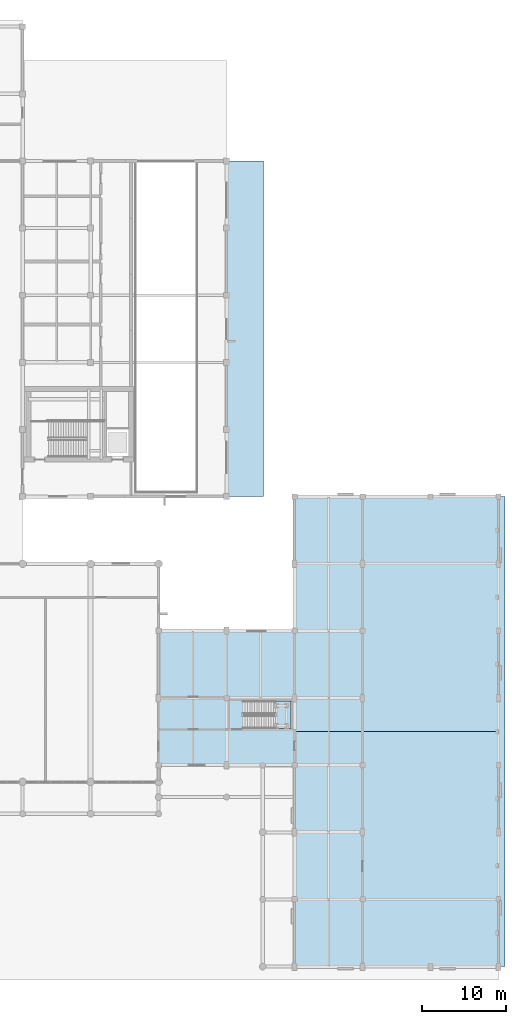
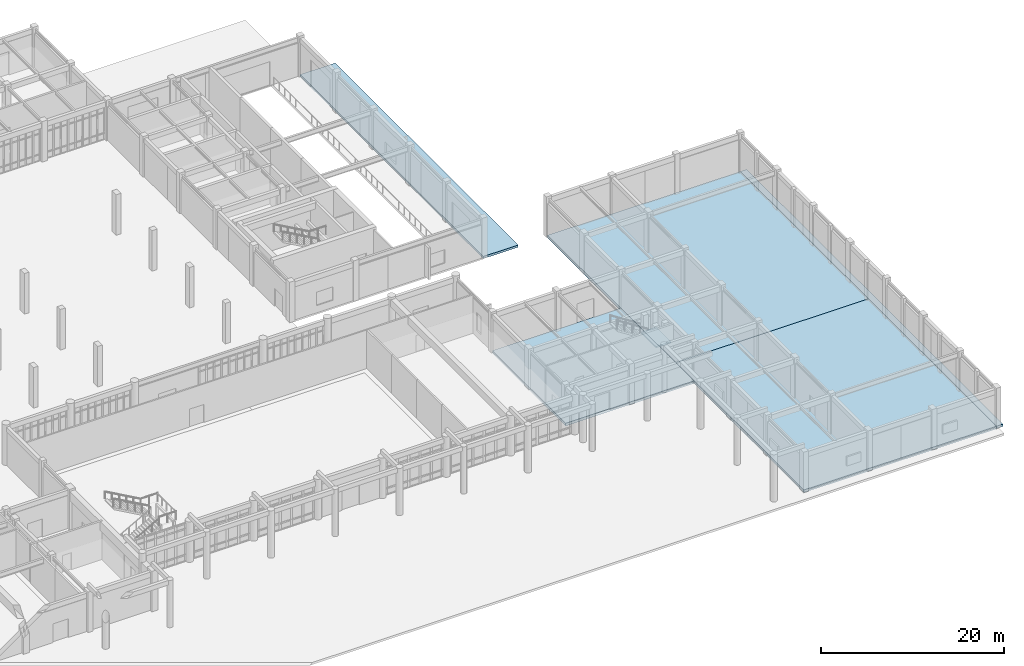
# One storey, part 40 of 62: 6 slabs, 1 element without a shape of its own.
"""IFC4 building model written with IfcOpenShell, lengths in metres."""

from ifc_helpers import new_model, si_unit, direction, frame, origin, place, context, subcontext, project, spatial, polyline, outline, extrude, material, layer, layer_set, type_object, element, aggregate, save


model = new_model("IFC4")

# Units and contexts
model_context = context("Model", 3, precision=1e-05, world=origin(), true_north=direction((0.0, 1.0)))
body_context = subcontext(model_context, "Body", "Model", "MODEL_VIEW")
ifc_project = project(units=[si_unit("LENGTHUNIT", "METRE"), si_unit("AREAUNIT", "SQUARE_METRE"), si_unit("VOLUMEUNIT", "CUBIC_METRE"), si_unit("PLANEANGLEUNIT", "RADIAN"), si_unit("MASSUNIT", "GRAM", prefix="KILO")], contexts=[model_context])

# Site, building, storey
site_placement = place(None, origin())
site = spatial("IfcSite", under=ifc_project, at=site_placement, CompositionType="ELEMENT")
building_placement = place(site_placement, origin())
building = spatial("IfcBuilding", under=site, at=building_placement, Name="Tarnveldt Square Police Headquarters", CompositionType="ELEMENT")
storey_placement = place(building_placement, origin())
storey = spatial("IfcBuildingStorey", under=building, at=storey_placement, Name="L00", CompositionType="ELEMENT", Elevation=0.0)

# Slabs
ifc_material = material(Name="Concrete 40 MPa", Category="concrete")
ifc_layer_1 = layer(ifc_material, 0.2900390625)
ifc_layer_set_1 = layer_set([ifc_layer_1], Name="Concrete 40 MPa")
slab_type_1 = type_object("IfcSlabType", Name="SL-APRON-290", PredefinedType="FLOOR", material=ifc_layer_set_1)
slab_1_placement = place(storey_placement, frame((0.0, 0.0, -0.2900390625)))
element("IfcSlab", 1, at=slab_1_placement, inside=storey, type_object=slab_type_1, Name="Exterior Civic Plaza Paving SLB-EXT-WALK-E-1", PredefinedType="FLOOR", context=body_context, shape_type="SweptSolid", body=[
    extrude(outline(polyline([(162.800048828125, 56.0), (162.800048828125, 0.0), (162.0, 0.0), (162.0, 24.0), (162.0, 56.0), (162.800048828125, 56.0)])), origin(), (0.0, 0.0, 1.0), 0.2900390625),
])
slab_2_placement = place(storey_placement, frame((0.0, 0.0, -0.2900390625)))
element("IfcSlab", 2, at=slab_2_placement, inside=storey, type_object=slab_type_1, Name="Exterior Civic Plaza Paving SLB-EXT-SALLY-1", PredefinedType="FLOOR", context=body_context, shape_type="SweptSolid", body=[
    extrude(outline(polyline([(134.0, 96.0), (134.0, 56.0), (129.60009765625, 56.0), (129.60009765625, 96.0), (134.0, 96.0)])), origin(), (0.0, 0.0, 1.0), 0.2900390625),
])
ifc_layer_2 = layer(ifc_material, 0.35009765625)
ifc_layer_set_2 = layer_set([ifc_layer_2], Name="Concrete 40 MPa")
slab_type_2 = type_object("IfcSlabType", Name="SL-L00-350", PredefinedType="FLOOR", material=ifc_layer_set_2)
slab_3_placement = place(storey_placement, frame((0.0, 0.0, -0.35009765625)))
element("IfcSlab", 3, at=slab_3_placement, inside=storey, type_object=slab_type_2, Name="L00 Structural Floor Slab L00-V3-LINK-1", PredefinedType="FLOOR", context=body_context, shape_type="SweptSolid", body=[
    extrude(outline(polyline([(121.5, 24.0), (121.5, 40.0), (137.699951171875, 40.0), (137.699951171875, 24.0), (121.5, 24.0)])), origin(), (0.0, 0.0, 1.0), 0.35009765625),
])
slab_4_placement = place(storey_placement, frame((0.0, 0.0, -0.35009765625)))
element("IfcSlab", 4, at=slab_4_placement, inside=storey, type_object=slab_type_2, Name="L00 Structural Floor Slab L00-V3-1", PredefinedType="FLOOR", context=body_context, shape_type="SweptSolid", body=[
    extrude(outline(polyline([(162.0, 0.0), (137.699951171875, 0.0), (137.699951171875, 24.0), (137.699951171875, 28.0), (162.0, 28.0), (162.0, 0.0)])), origin(), (0.0, 0.0, 1.0), 0.35009765625),
])
slab_5_placement = place(storey_placement, frame((0.0, 0.0, -0.35009765625)))
element("IfcSlab", 5, at=slab_5_placement, inside=storey, type_object=slab_type_2, Name="L00 Structural Floor Slab L00-V3-2", PredefinedType="FLOOR", context=body_context, shape_type="SweptSolid", body=[
    extrude(outline(polyline([(162.0, 28.0), (137.699951171875, 28.0), (137.699951171875, 40.0), (137.699951171875, 56.0), (162.0, 56.0), (162.0, 28.0)])), origin(), (0.0, 0.0, 1.0), 0.35009765625),
])

# Stair, slab
stair_type = type_object("IfcStairType", Name="STR-HT-48C", PredefinedType="HALF_TURN_STAIR", material=ifc_material)
stair_placement = place(storey_placement, origin())
stair = element("IfcStair", 6, at=stair_placement, inside=storey, type_object=stair_type, Name="L00 East Hall Exit Stair ST7", PredefinedType="HALF_TURN_STAIR")
ifc_layer_3 = layer(ifc_material, 0.179931640625)
ifc_layer_set_3 = layer_set([ifc_layer_3], Name="Concrete 40 MPa")
slab_type_3 = type_object("IfcSlabType", Name="SL-LND-180", PredefinedType="LANDING", material=ifc_layer_set_3)
slab_6_placement = place(storey_placement, frame((0.0, 0.0, 2.5)))
slab_6 = element("IfcSlab", 7, at=slab_6_placement, type_object=slab_type_3, Name="ST7 landing 1", PredefinedType="LANDING", context=body_context, shape_type="SweptSolid", body=[
    extrude(outline(polyline([(135.43994140625, 28.3798828125), (137.300048828125, 28.3798828125), (137.300048828125, 31.6201171875), (135.43994140625, 31.6201171875), (135.43994140625, 28.3798828125)])), origin(), (0.0, 0.0, 1.0), 0.199951171875),
])
aggregate(stair, [slab_6])

save(model, "model.ifc")
